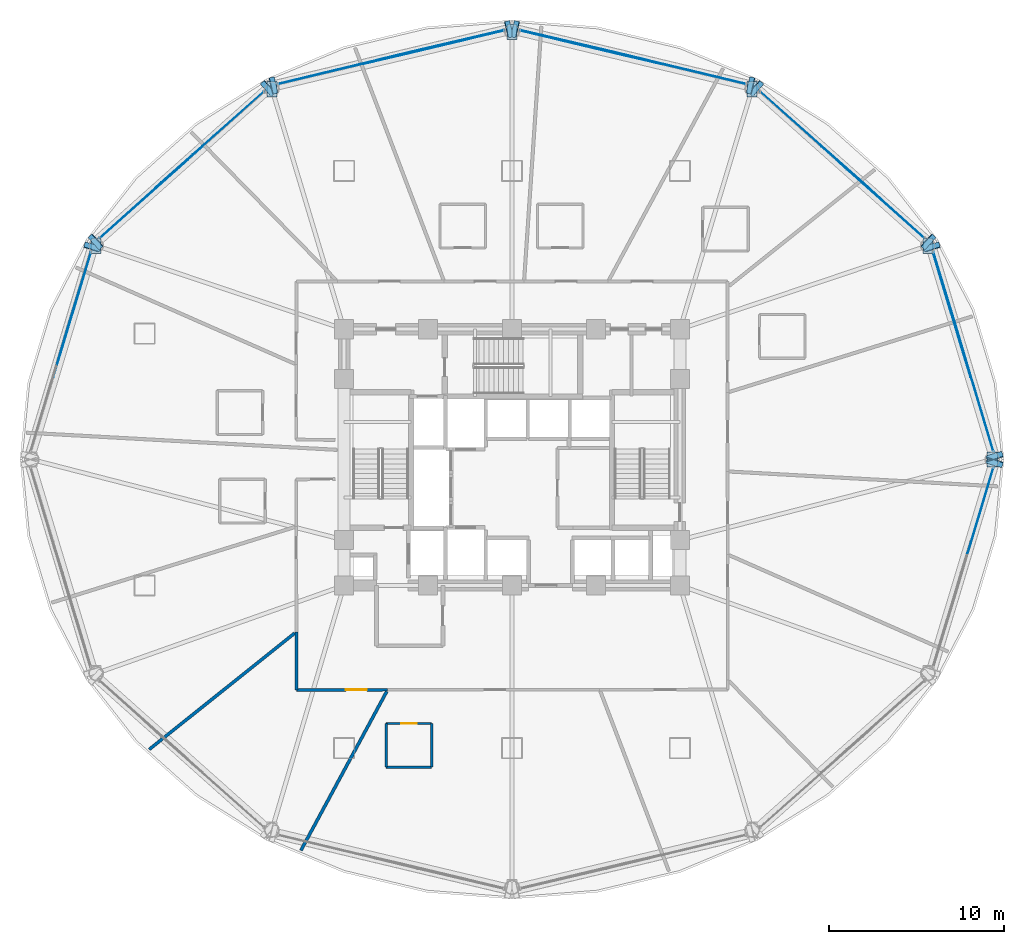
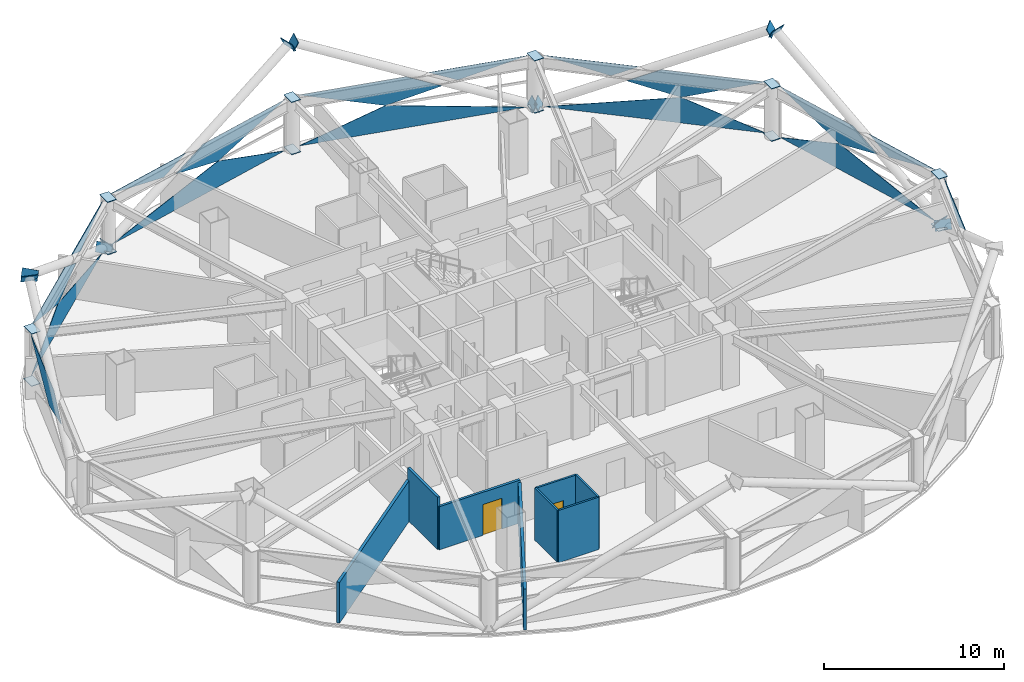
# One storey, part 21 of 30: 41 plates, 8 walls, 2 doors, 2 openings, 7 elements without a shape of their own.
"""IFC4 building model written with IfcOpenShell, lengths in metres."""

from ifc_helpers import new_model, si_unit, direction, frame, frame_2d, origin, place, context, subcontext, project, spatial, polyline, rectangle, outline, extrude, material, layer, layer_set, type_object, element, fill, aggregate, save


model = new_model("IFC4")

# Units and contexts
model_context = context("Model", 3, precision=1e-05, world=origin(), true_north=direction((0.0, 1.0)))
body_context = subcontext(model_context, "Body", "Model", "MODEL_VIEW")
ifc_project = project(units=[si_unit("LENGTHUNIT", "METRE"), si_unit("AREAUNIT", "SQUARE_METRE"), si_unit("VOLUMEUNIT", "CUBIC_METRE"), si_unit("PLANEANGLEUNIT", "RADIAN"), si_unit("MASSUNIT", "GRAM", prefix="KILO")], contexts=[model_context])

# Site, building, storey
site_placement = place(None, origin())
site = spatial("IfcSite", under=ifc_project, at=site_placement, CompositionType="ELEMENT")
building_placement = place(site_placement, origin())
building = spatial("IfcBuilding", under=site, at=building_placement, Name="Vantalir Tower", CompositionType="ELEMENT")
storey_placement = place(building_placement, frame((0.0, 0.0, 57.0)))
storey = spatial("IfcBuildingStorey", under=building, at=storey_placement, Name="L13", CompositionType="ELEMENT", Elevation=57.0)

# Curtain wall, plates
ifc_material_1 = material(Name="Champagne-silver PVDF aluminium and double-silver Low-E glass", Category="aluminium")
ifc_layer_1 = layer(ifc_material_1, 0.18994140625)
ifc_layer_set_1 = layer_set([ifc_layer_1], Name="Champagne-silver PVDF aluminium and double-silver Low-E glass")
curtain_wall_type = type_object("IfcCurtainWallType", Name="CW-DIAMOND-Z1", PredefinedType="USERDEFINED", material=ifc_layer_set_1)
curtain_wall_1_placement = place(storey_placement, origin())
curtain_wall_1 = element("IfcCurtainWall", 1, at=curtain_wall_1_placement, inside=storey, type_object=curtain_wall_type, Name="L13 Quilted Pyramid-Diamond Curtain Wall S01", ObjectType="UNITISED CURTAIN WALL", PredefinedType="USERDEFINED")
ifc_material_2 = material(Name="Double-silver Low-E laminated glass IGU", Category="glass")
ifc_layer_2 = layer(ifc_material_2, 0.028076171875)
ifc_layer_set_2 = layer_set([ifc_layer_2], Name="Double-silver Low-E laminated glass IGU")
plate_type_1 = type_object("IfcPlateType", Name="CWP-IGU-28", PredefinedType="CURTAIN_PANEL", material=ifc_layer_set_2)
plate_1_placement = place(storey_placement, frame((59.00146484375, 25.46435546875, 0.04638671875), z_axis=(-0.957585822018, -0.287815799842, 0.013836864916), x_axis=(-0.287843084169, 0.957677585869, 2.0525035e-05)))
plate_1 = element("IfcPlate", 2, at=plate_1_placement, type_object=plate_type_1, Name="CW-L13-S01 Pyramid Diamond Facet 1L", PredefinedType="CURTAIN_PANEL", context=body_context, shape_type="SweptSolid", body=[
    extrude(outline(polyline([(0.0, 0.0), (11.894772927721332, -7.047314121155779e-19), (7.368738830901903, -1.727064876820126), (0.0, 0.0)])), origin(), (0.0, 0.0, -1.0), 0.028076171875),
])
plate_2_placement = place(storey_placement, frame((57.185546875, 31.506103515625, 3.5234375), z_axis=(0.957592131935, 0.287795701037, 0.013818224237), x_axis=(-0.287823185482, 0.957683566685, 3.15483e-07)))
plate_2 = element("IfcPlate", 3, at=plate_2_placement, type_object=plate_type_1, Name="CW-L13-S01 Pyramid Diamond Facet 2U", PredefinedType="CURTAIN_PANEL", context=body_context, shape_type="SweptSolid", body=[
    extrude(outline(polyline([(0.0, 0.0), (5.586026809763344, 0.0), (1.059957221960912, -1.726971859765744), (-1.8695928713127452, -1.040380182571047), (0.0, 0.0)])), origin(), (0.0, 0.0, -1.0), 0.028076171875),
])
plate_3_placement = place(storey_placement, frame((59.031982421875, 25.4736328125, 3.524169921875), z_axis=(0.957593995748, 0.287786722453, 0.013875939127), x_axis=(-0.287813794827, 0.957686387714, -4.7913067e-05)))
plate_3 = element("IfcPlate", 4, at=plate_3_placement, type_object=plate_type_1, Name="CW-L13-S01 Pyramid Diamond Facet 2U Infill Light", PredefinedType="CURTAIN_PANEL", context=body_context, shape_type="SweptSolid", body=[
    extrude(outline(polyline([(0.0, 0.0), (5.0954914626599415, -3.1170812458958252e-18), (3.5854060935495413, -0.8402411390284942), (0.0, 0.0)])), origin(), (0.0, 0.0, -1.0), 0.028076171875),
])
aggregate(curtain_wall_1, [plate_1, plate_2, plate_3])

curtain_wall_2_placement = place(storey_placement, origin())
curtain_wall_2 = element("IfcCurtainWall", 5, at=curtain_wall_2_placement, inside=storey, type_object=curtain_wall_type, Name="L13 Quilted Pyramid-Diamond Curtain Wall S02", ObjectType="UNITISED CURTAIN WALL", PredefinedType="USERDEFINED")
plate_4_placement = place(storey_placement, frame((55.076171875, 37.642822265625, 0.04638671875), z_axis=(-0.665407378116, -0.746357322402, 0.013556122095), x_axis=(-0.746425910318, 0.665468526984, 0.0)))
plate_4 = element("IfcPlate", 6, at=plate_4_placement, type_object=plate_type_1, Name="CW-L13-S02 Pyramid Diamond Facet 1L", PredefinedType="CURTAIN_PANEL", context=body_context, shape_type="SweptSolid", body=[
    extrude(outline(polyline([(0.0, 0.0), (12.584384353535702, 0.0), (4.784136684026427, -1.727453654904941), (0.0, 0.0)])), origin(), (0.0, 0.0, -1.0), 0.028076171875),
])
plate_5_placement = place(storey_placement, frame((55.076171875, 37.642822265625, 3.5234375), z_axis=(0.665406448238, 0.746357572633, 0.013587951194), x_axis=(-0.746426856443, 0.665467464472, 4.1357635e-05)))
plate_5 = element("IfcPlate", 7, at=plate_5_placement, type_object=plate_type_1, Name="CW-L13-S02 Pyramid Diamond Facet 2U", PredefinedType="CURTAIN_PANEL", context=body_context, shape_type="SweptSolid", body=[
    extrude(outline(polyline([(0.0, 0.0), (5.918781015593105, 1.3173056395698879e-17), (7.8879689359968985, -1.0402171838416798), (4.784065219878593, -1.7274074692612384), (0.0, 0.0)])), origin(), (0.0, 0.0, -1.0), 0.028076171875),
])
plate_6_placement = place(storey_placement, frame((49.73681640625, 42.446044921875, 3.524169921875), z_axis=(0.66542010169, 0.746349573518, 0.013356735238), x_axis=(-0.746416157696, 0.665479465897, 0.0)))
plate_6 = element("IfcPlate", 8, at=plate_6_placement, type_object=plate_type_1, Name="CW-L13-S02 Pyramid Diamond Facet 2U Infill Light", PredefinedType="CURTAIN_PANEL", context=body_context, shape_type="SweptSolid", body=[
    extrude(outline(polyline([(0.0, 0.0), (5.4024429422513816, 0.0), (1.5960691910706943, -0.8430927863577146), (0.0, 0.0)])), origin(), (0.0, 0.0, -1.0), 0.028076171875),
])
aggregate(curtain_wall_2, [plate_4, plate_5, plate_6])

curtain_wall_3_placement = place(storey_placement, origin())
curtain_wall_3 = element("IfcCurtainWall", 9, at=curtain_wall_3_placement, inside=storey, type_object=curtain_wall_type, Name="L13 Quilted Pyramid-Diamond Curtain Wall S03", ObjectType="UNITISED CURTAIN WALL", PredefinedType="USERDEFINED")
plate_7_placement = place(storey_placement, frame((44.849365234375, 46.45263671875, 0.046142578125), z_axis=(-0.232281850494, -0.97254997722, 0.013844989705), x_axis=(-0.972643142153, 0.232304364321, 1.8439781e-05)))
plate_7 = element("IfcPlate", 10, at=plate_7_placement, type_object=plate_type_1, Name="CW-L13-S03 Pyramid Diamond Facet 1L", PredefinedType="CURTAIN_PANEL", context=body_context, shape_type="SweptSolid", body=[
    extrude(outline(polyline([(0.0, 0.0), (13.239887260572155, 2.8731357570865868e-18), (8.202391792840888, -1.7277975563932781), (0.0, 0.0)])), origin(), (0.0, 0.0, -1.0), 0.028076171875),
])
plate_8_placement = place(storey_placement, frame((38.0361328125, 48.079833984375, 3.523681640625), z_axis=(0.232277108116, 0.972550543601, 0.013884710573), x_axis=(-0.972644303162, 0.23229950393, -2.06057e-07)))
plate_8 = element("IfcPlate", 11, at=plate_8_placement, type_object=plate_type_1, Name="CW-L13-S03 Pyramid Diamond Facet 2U", PredefinedType="CURTAIN_PANEL", context=body_context, shape_type="SweptSolid", body=[
    extrude(outline(polyline([(0.0, 0.0), (6.235038439298125, 3.469446951953614e-18), (1.1975113517648346, -1.7277053617726261), (-2.0650771431503885, -1.0403852036864139), (0.0, 0.0)])), origin(), (0.0, 0.0, -1.0), 0.028076171875),
])
plate_9_placement = place(storey_placement, frame((44.856689453125, 46.48388671875, 3.524169921875), z_axis=(0.232290203485, 0.972549091149, 0.013766868583), x_axis=(-0.972641266247, 0.232312219209, 0.0)))
plate_9 = element("IfcPlate", 12, at=plate_9_placement, type_object=plate_type_1, Name="CW-L13-S03 Pyramid Diamond Facet 2U Infill Light", PredefinedType="CURTAIN_PANEL", context=body_context, shape_type="SweptSolid", body=[
    extrude(outline(polyline([(0.0, 0.0), (5.693862814261939, 0.0), (4.015142088045988, -0.8457832780423248), (0.0, 0.0)])), origin(), (0.0, 0.0, -1.0), 0.028076171875),
])
aggregate(curtain_wall_3, [plate_7, plate_8, plate_9])

curtain_wall_4_placement = place(storey_placement, origin())
curtain_wall_4 = element("IfcCurtainWall", 13, at=curtain_wall_4_placement, inside=storey, type_object=curtain_wall_type, Name="L13 Quilted Pyramid-Diamond Curtain Wall S04", ObjectType="UNITISED CURTAIN WALL", PredefinedType="USERDEFINED")
plate_10_placement = place(storey_placement, frame((31.0283203125, 49.5283203125, 0.04638671875), z_axis=(0.232298566588, -0.972546207877, 0.013829298776), x_axis=(-0.97263916129, -0.232321031301, -1.8441104e-05)))
plate_10 = element("IfcPlate", 14, at=plate_10_placement, type_object=plate_type_1, Name="CW-L13-S04 Pyramid Diamond Facet 1L", PredefinedType="CURTAIN_PANEL", context=body_context, shape_type="SweptSolid", body=[
    extrude(outline(polyline([(0.0, 0.0), (13.238937415697356, 1.4365678785432934e-18), (5.037020133329369, -1.7277971790848272), (0.0, 0.0)])), origin(), (0.0, 0.0, -1.0), 0.028076171875),
])
plate_11_placement = place(storey_placement, frame((31.0283203125, 49.5283203125, 3.523681640625), z_axis=(-0.232295494066, 0.972546338767, 0.013871639705), x_axis=(-0.972639921483, -0.232317849372, 1.9661e-07)))
plate_11 = element("IfcPlate", 15, at=plate_11_placement, type_object=plate_type_1, Name="CW-L13-S04 Pyramid Diamond Facet 2U", PredefinedType="CURTAIN_PANEL", context=body_context, shape_type="SweptSolid", body=[
    extrude(outline(polyline([(0.0, 0.0), (6.234563518097518, 0.0), (8.299402935582712, -1.0403849363645372), (5.03705173040447, -1.7277050596209191), (0.0, 0.0)])), origin(), (0.0, 0.0, -1.0), 0.028076171875),
])
plate_12_placement = place(storey_placement, frame((23.681884765625, 47.806640625, 3.524169921875), z_axis=(-0.232309668197, 0.972544830943, 0.013739354732), x_axis=(-0.972636637521, -0.232331597835, 0.0)))
plate_12 = element("IfcPlate", 16, at=plate_12_placement, type_object=plate_type_1, Name="CW-L13-S04 Pyramid Diamond Facet 2U Infill Light", PredefinedType="CURTAIN_PANEL", context=body_context, shape_type="SweptSolid", body=[
    extrude(outline(polyline([(0.0, 0.0), (5.693387892898667, 0.0), (1.678483033778143, -0.8457829579365476), (0.0, 0.0)])), origin(), (0.0, 0.0, -1.0), 0.028076171875),
])
aggregate(curtain_wall_4, [plate_10, plate_11, plate_12])

curtain_wall_5_placement = place(storey_placement, origin())
curtain_wall_5 = element("IfcCurtainWall", 17, at=curtain_wall_5_placement, inside=storey, type_object=curtain_wall_type, Name="L13 Quilted Pyramid-Diamond Curtain Wall S05", ObjectType="UNITISED CURTAIN WALL", PredefinedType="USERDEFINED")
plate_13_placement = place(storey_placement, frame((17.318115234375, 46.017333984375, 0.04638671875), z_axis=(0.665378352593, -0.746382958751, 0.013569332576), x_axis=(-0.746451682789, -0.665439618043, 0.0)))
plate_13 = element("IfcPlate", 18, at=plate_13_placement, type_object=plate_type_1, Name="CW-L13-S05 Pyramid Diamond Facet 1L", PredefinedType="CURTAIN_PANEL", context=body_context, shape_type="SweptSolid", body=[
    extrude(outline(polyline([(0.0, 0.0), (12.584931061638851, 1.3877787807814457e-17), (7.800613048962761, -1.7274539644700475), (0.0, 0.0)])), origin(), (0.0, 0.0, -1.0), 0.028076171875),
])
plate_14_placement = place(storey_placement, frame((12.34228515625, 41.58154296875, 3.523681640625), z_axis=(-0.665378378836, 0.746383049442, 0.013563055839), x_axis=(-0.746452081291, -0.66543916975, -4.1214311e-05)))
plate_14 = element("IfcPlate", 19, at=plate_14_placement, type_object=plate_type_1, Name="CW-L13-S05 Pyramid Diamond Facet 2U", PredefinedType="CURTAIN_PANEL", context=body_context, shape_type="SweptSolid", body=[
    extrude(outline(polyline([(0.0, 0.0), (5.918963252420912, -7.318364664277155e-18), (1.1347164370773244, -1.7274070479565828), (-1.9693697697548103, -1.040215716584684), (0.0, 0.0)])), origin(), (0.0, 0.0, -1.0), 0.028076171875),
])
plate_15_placement = place(storey_placement, frame((17.296630859375, 46.041259765625, 3.524169921875), z_axis=(-0.66539973325, 0.74636641499, 0.013430173728), x_axis=(-0.74643373499, -0.6654597503, 0.0)))
plate_15 = element("IfcPlate", 20, at=plate_15_placement, type_object=plate_type_1, Name="CW-L13-S05 Pyramid Diamond Facet 2U Infill Light", PredefinedType="CURTAIN_PANEL", context=body_context, shape_type="SweptSolid", body=[
    extrude(outline(polyline([(0.0, 0.0), (5.402969875723345, 0.0), (3.806556282091563, -0.843093615768816), (0.0, 0.0)])), origin(), (0.0, 0.0, -1.0), 0.028076171875),
])
aggregate(curtain_wall_5, [plate_13, plate_14, plate_15])

# Curtain wall, plate
curtain_wall_6_placement = place(storey_placement, origin())
curtain_wall_6 = element("IfcCurtainWall", 21, at=curtain_wall_6_placement, inside=storey, type_object=curtain_wall_type, Name="L13 Quilted Pyramid-Diamond Curtain Wall S06", ObjectType="UNITISED CURTAIN WALL", PredefinedType="USERDEFINED")
plate_16_placement = place(storey_placement, frame((7.42236328125, 36.855712890625, 3.5234375), z_axis=(-0.957592131935, 0.287795701037, 0.013818224237), x_axis=(-0.287823185482, -0.957683566685, -3.15483e-07)))
plate_16 = element("IfcPlate", 22, at=plate_16_placement, type_object=plate_type_1, Name="CW-L13-S06 Pyramid Diamond Facet 2U", PredefinedType="CURTAIN_PANEL", context=body_context, shape_type="SweptSolid", body=[
    extrude(outline(polyline([(0.0, 0.0), (5.586026809763344, 0.0), (7.455619681076089, -1.040380182571047), (4.526069587802432, -1.726971859765744), (0.0, 0.0)])), origin(), (0.0, 0.0, -1.0), 0.028076171875),
])
aggregate(curtain_wall_6, [plate_16])

curtain_wall_7_placement = place(storey_placement, origin())
curtain_wall_7 = element("IfcCurtainWall", 23, at=curtain_wall_7_placement, inside=storey, type_object=curtain_wall_type, Name="L13 Quilted Pyramid-Diamond Curtain Wall S12", ObjectType="UNITISED CURTAIN WALL", PredefinedType="USERDEFINED")
plate_17_placement = place(storey_placement, frame((57.5654296875, 19.64599609375, 3.52392578125), z_axis=(0.95760238429, -0.28776044844, 0.013841889853), x_axis=(0.287787384071, 0.95769432455, 4.7908671e-05)))
plate_17 = element("IfcPlate", 24, at=plate_17_placement, type_object=plate_type_1, Name="CW-L13-S12 Pyramid Diamond Facet 2U Infill Light", PredefinedType="CURTAIN_PANEL", context=body_context, shape_type="SweptSolid", body=[
    extrude(outline(polyline([(0.0, 0.0), (5.095959084904235, -3.0357660829594124e-18), (1.5103188627906086, -0.8402407470016955), (0.0, 0.0)])), origin(), (0.0, 0.0, -1.0), 0.028076171875),
])
aggregate(curtain_wall_7, [plate_17])

# Plates
ifc_material_3 = material(Name="Steel S460", Category="steel")
ifc_layer_3 = layer(ifc_material_3, 0.0400390625)
ifc_layer_set_3 = layer_set([ifc_layer_3], Name="Steel S460")
plate_type_2 = type_object("IfcPlateType", Name="PLT-KN-Z1", PredefinedType="USERDEFINED", material=ifc_layer_set_3)
for number, where, z_axis, x_axis, name in (
    (25, (59.4951171875, 25.471923828125, -0.080078125), (-0.251490162949, 0.836766153777, 0.486389866087), (-0.957678644205, -0.287839563275, 1.5719864e-05), "Node Cap Plate MEM-DG-L13-R01L Start"),
    (26, (55.896728515625, 37.44384765625, 6.877685546875), (-0.251490162949, 0.836766153777, 0.486389866087), (-0.957678644205, -0.287839563275, 1.5719864e-05), "Node Cap Plate MEM-DG-L13-R01L End"),
):
    element("IfcPlate", number, at=place(storey_placement, frame(where, z_axis=z_axis, x_axis=x_axis)), inside=storey, type_object=plate_type_2, Name=name, ObjectType="FLANGE_PLATE", PredefinedType="USERDEFINED", context=body_context, shape_type="SweptSolid", body=[
        extrude(outline(polyline([(0.0, 0.0), (0.9498757175723269, 0.0), (0.9500156509318689, 0.6200150367845599), (-9.38749032032523e-05, 0.6200492202319443), (0.0, 0.0)])), origin(), (0.0, 0.0, -1.0), 0.0400390625),
    ])
plate_18_placement = place(storey_placement, frame((58.58544921875, 24.801513671875, -0.080078125), z_axis=(-0.251490162949, -0.836766153777, 0.486389866087), x_axis=(0.957678644205, -0.287839563275, -1.5719864e-05)))
element("IfcPlate", 27, at=plate_18_placement, inside=storey, type_object=plate_type_2, Name="Node Cap Plate MEM-DG-L13-R01R Start", ObjectType="FLANGE_PLATE", PredefinedType="USERDEFINED", context=body_context, shape_type="SweptSolid", body=[
    extrude(outline(polyline([(0.0, 0.0), (0.9498757175723269, 0.0), (0.94996959247553, 0.6200492202319443), (-0.00013993335954211683, 0.6200150367845599), (0.0, 0.0)])), origin(), (0.0, 0.0, -1.0), 0.0400390625),
])
plate_19_placement = place(storey_placement, frame((45.09765625, 46.881591796875, -0.09423828125), z_axis=(-0.868679647648, 0.207500700614, 0.449821218937), x_axis=(-0.232338621109, -0.972634959786, -1.1995705e-05)))
element("IfcPlate", 28, at=plate_19_placement, inside=storey, type_object=plate_type_2, Name="Node Cap Plate MEM-DG-L13-R07L Start", ObjectType="FLANGE_PLATE", PredefinedType="USERDEFINED", context=body_context, shape_type="SweptSolid", body=[
    extrude(outline(polyline([(0.0, 0.0), (0.9498253909451931, 0.0), (0.9499634488044043, 0.6199874463205657), (-9.940184776774489e-05, 0.6199619284342917), (0.0, 0.0)])), origin(), (0.0, 0.0, -1.0), 0.0400390625),
])
plate_20_placement = place(storey_placement, frame((31.637939453125, 50.096435546875, 6.878662109375), z_axis=(-0.868452327118, 0.20744640077, 0.450284961253), x_axis=(-0.232326857774, -0.972637769683, 1.2001929e-05)))
element("IfcPlate", 29, at=plate_20_placement, inside=storey, type_object=plate_type_2, Name="Node Cap Plate MEM-DG-L13-R07L End", ObjectType="FLANGE_PLATE", PredefinedType="USERDEFINED", context=body_context, shape_type="SweptSolid", body=[
    extrude(outline(polyline([(0.0, 0.0), (0.9500628509950432, 0.0), (0.9499233860281305, 0.6198507701050563), (9.799542607623246e-05, 0.619876307914394), (0.0, 0.0)])), origin(), (0.0, 0.0, -1.0), 0.0400390625),
])
plate_21_placement = place(storey_placement, frame((45.263427734375, 45.7548828125, -0.087646484375), z_axis=(0.660008864584, -0.588429318244, 0.467053782878), x_axis=(0.665473396555, 0.746421568859, -4.294976e-06)))
element("IfcPlate", 30, at=plate_21_placement, inside=storey, type_object=plate_type_2, Name="Node Cap Plate MEM-DG-L13-R07R Start", ObjectType="FLANGE_PLATE", PredefinedType="USERDEFINED", context=body_context, shape_type="SweptSolid", body=[
    extrude(outline(polyline([(0.0, 0.0), (0.9501784068884593, 2.7755575615628914e-17), (0.9500093497512343, 0.62013797366992), (0.0001756437820656369, 0.6201287447177519), (0.0, 0.0)])), origin(), (0.0, 0.0, -1.0), 0.0400390625),
])
plate_22_placement = place(storey_placement, frame((55.10595703125, 36.979736328125, 6.878173828125), z_axis=(0.659944728769, -0.588372138113, 0.467216418871), x_axis=(0.665470008051, 0.746424589872, 4.297613e-06)))
element("IfcPlate", 31, at=plate_22_placement, inside=storey, type_object=plate_type_2, Name="Node Cap Plate MEM-DG-L13-R07R End", ObjectType="FLANGE_PLATE", PredefinedType="USERDEFINED", context=body_context, shape_type="SweptSolid", body=[
    extrude(outline(polyline([(0.0, 0.0), (0.9498337060140125, 2.7755575615628914e-17), (0.9500153752071201, 0.6199128756628514), (-0.00016303163646354339, 0.6199221111791092), (0.0, 0.0)])), origin(), (0.0, 0.0, -1.0), 0.0400390625),
])
plate_23_placement = place(storey_placement, frame((17.10546875, 46.464111328125, -0.087646484375), z_axis=(-0.660110602047, -0.588406386194, 0.466938880103), x_axis=(0.665386187583, -0.746499310199, -3.5303403e-05)))
element("IfcPlate", 32, at=plate_23_placement, inside=storey, type_object=plate_type_2, Name="Node Cap Plate MEM-DG-L13-R13L Start", ObjectType="FLANGE_PLATE", PredefinedType="USERDEFINED", context=body_context, shape_type="SweptSolid", body=[
    extrude(outline(polyline([(0.0, 0.0), (0.9500159511182094, 2.7755575615628914e-17), (0.9497847571507525, 0.6201287223976483), (-4.8943159302784365e-05, 0.6200528748934697), (0.0, 0.0)])), origin(), (0.0, 0.0, -1.0), 0.0400390625),
])
plate_24_placement = place(storey_placement, frame((7.261962890625, 37.688720703125, 6.878173828125), z_axis=(-0.659944728769, -0.588372138113, 0.467216418871), x_axis=(0.665470008051, -0.746424589872, -4.297613e-06)))
element("IfcPlate", 33, at=plate_24_placement, inside=storey, type_object=plate_type_2, Name="Node Cap Plate MEM-DG-L13-R13L End", ObjectType="FLANGE_PLATE", PredefinedType="USERDEFINED", context=body_context, shape_type="SweptSolid", body=[
    extrude(outline(polyline([(0.0, 0.0), (0.9498337060140125, -2.7755575615628914e-17), (0.949996737650476, 0.6199221111791091), (-0.00018166919310762172, 0.6199128756628514), (0.0, 0.0)])), origin(), (0.0, 0.0, -1.0), 0.0400390625),
])
plate_25_placement = place(storey_placement, frame((18.1240234375, 45.957763671875, -0.09423828125), z_axis=(0.868667968842, 0.207470500352, 0.449857701269), x_axis=(-0.232303709897, 0.972643298629, 0.0)))
element("IfcPlate", 34, at=plate_25_placement, inside=storey, type_object=plate_type_2, Name="Node Cap Plate MEM-DG-L13-R13R Start", ObjectType="FLANGE_PLATE", PredefinedType="USERDEFINED", context=body_context, shape_type="SweptSolid", body=[
    extrude(outline(polyline([(0.0, 0.0), (0.9500628513325243, 0.0), (0.9499081404585964, 0.6199874429060697), (-0.0001547108739279254, 0.6199874429060697), (0.0, 0.0)])), origin(), (0.0, 0.0, -1.0), 0.0400390625),
])
plate_26_placement = place(storey_placement, frame((31.582763671875, 49.17236328125, 6.878662109375), z_axis=(0.868452327118, 0.20744640077, 0.450284961253), x_axis=(-0.232326857774, 0.972637769683, -1.2001929e-05)))
element("IfcPlate", 35, at=plate_26_placement, inside=storey, type_object=plate_type_2, Name="Node Cap Plate MEM-DG-L13-R13R End", ObjectType="FLANGE_PLATE", PredefinedType="USERDEFINED", context=body_context, shape_type="SweptSolid", body=[
    extrude(outline(polyline([(0.0, 0.0), (0.9500628509950432, 0.0), (0.9499648555689669, 0.6198763079143939), (0.00013946496691266775, 0.6198507701050563), (0.0, 0.0)])), origin(), (0.0, 0.0, -1.0), 0.0400390625),
])
plate_27_placement = place(storey_placement, frame((8.012939453125, 37.17041015625, 6.877685546875), z_axis=(0.251490162949, 0.836766153777, 0.486389866087), x_axis=(-0.957678644205, 0.287839563275, -1.5719864e-05)))
element("IfcPlate", 36, at=plate_27_placement, inside=storey, type_object=plate_type_2, Name="Node Cap Plate MEM-DG-L13-R19R End", ObjectType="FLANGE_PLATE", PredefinedType="USERDEFINED", context=body_context, shape_type="SweptSolid", body=[
    extrude(outline(polyline([(0.0, 0.0), (0.9498757175723269, 0.0), (0.94996959247553, 0.6200492202319443), (-0.00013993335954211683, 0.6200150367845599), (0.0, 0.0)])), origin(), (0.0, 0.0, -1.0), 0.0400390625),
])
ifc_layer_4 = layer(ifc_material_3, 0.035888671875)
ifc_layer_set_4 = layer_set([ifc_layer_4], Name="Steel S460")
plate_type_3 = type_object("IfcPlateType", Name="PLT-KN-Z2", PredefinedType="USERDEFINED", material=ifc_layer_set_4)
for number, where, z_axis, x_axis, name in (
    (37, (58.660888671875, 25.43994140625, 3.597900390625), (0.0, 0.0, 1.0), (0.0, -1.0, 0.0), "L13 Ring Column Top Cap RC01"),
    (38, (58.660888671875, 25.43994140625, 0.052978515625), (0.0, 0.0, 1.0), (0.0, -1.0, 0.0), "L13 Ring Column Base Cap RC01"),
):
    element("IfcPlate", number, at=place(storey_placement, frame(where, z_axis=z_axis, x_axis=x_axis)), inside=storey, type_object=plate_type_3, Name=name, ObjectType="FLANGE_PLATE", PredefinedType="USERDEFINED", context=body_context, shape_type="SweptSolid", body=[
        extrude(outline(polyline([(0.0, 0.0), (0.8798828125, 0.0), (0.8798828125, 0.580078125), (0.0, 0.580078125), (0.0, 0.0)])), origin(), (0.0, 0.0, -1.0), 0.035888671875),
    ])
for number, where, z_axis, x_axis, name in (
    (39, (54.98291015625, 37.6650390625, 3.597900390625), (0.0, 0.0, 1.0), (0.0, -1.0, 0.0), "L13 Ring Column Top Cap RC02"),
    (40, (54.98291015625, 37.6650390625, 0.052978515625), (0.0, 0.0, 1.0), (0.0, -1.0, 0.0), "L13 Ring Column Base Cap RC02"),
):
    element("IfcPlate", number, at=place(storey_placement, frame(where, z_axis=z_axis, x_axis=x_axis)), inside=storey, type_object=plate_type_3, Name=name, ObjectType="FLANGE_PLATE", PredefinedType="USERDEFINED", context=body_context, shape_type="SweptSolid", body=[
        extrude(outline(polyline([(0.0, 0.0), (0.880126953125, 0.0), (0.880126953125, 0.580078125), (0.0, 0.580078125), (0.0, 0.0)])), origin(), (0.0, 0.0, -1.0), 0.035888671875),
    ])
for number, where, z_axis, x_axis, name in (
    (41, (44.93603515625, 46.614990234375, 3.597900390625), (0.0, 0.0, 1.0), (0.0, -1.0, 0.0), "L13 Ring Column Top Cap RC03"),
    (42, (44.93603515625, 46.614990234375, 0.052978515625), (0.0, 0.0, 1.0), (0.0, -1.0, 0.0), "L13 Ring Column Base Cap RC03"),
):
    element("IfcPlate", number, at=place(storey_placement, frame(where, z_axis=z_axis, x_axis=x_axis)), inside=storey, type_object=plate_type_3, Name=name, ObjectType="FLANGE_PLATE", PredefinedType="USERDEFINED", context=body_context, shape_type="SweptSolid", body=[
        extrude(outline(polyline([(0.0, 0.0), (0.8798828125, 0.0), (0.8798828125, 0.580078125), (0.0, 0.580078125), (0.0, 0.0)])), origin(), (0.0, 0.0, -1.0), 0.035888671875),
    ])
for number, where, z_axis, x_axis, name in (
    (43, (31.2099609375, 49.89111328125, 3.597900390625), (0.0, 0.0, 1.0), (0.0, -1.0, 0.0), "L13 Ring Column Top Cap RC04"),
    (44, (31.2099609375, 49.89111328125, 0.052978515625), (0.0, 0.0, 1.0), (0.0, -1.0, 0.0), "L13 Ring Column Base Cap RC04"),
):
    element("IfcPlate", number, at=place(storey_placement, frame(where, z_axis=z_axis, x_axis=x_axis)), inside=storey, type_object=plate_type_3, Name=name, ObjectType="FLANGE_PLATE", PredefinedType="USERDEFINED", context=body_context, shape_type="SweptSolid", body=[
        extrude(outline(polyline([(0.0, 0.0), (0.880126953125, 0.0), (0.880126953125, 0.580078125), (0.0, 0.580078125), (0.0, 0.0)])), origin(), (0.0, 0.0, -1.0), 0.035888671875),
    ])
for number, where, z_axis, x_axis, name in (
    (45, (17.485107421875, 46.614990234375, 3.597900390625), (0.0, 0.0, 1.0), (0.0, -1.0, 0.0), "L13 Ring Column Top Cap RC05"),
    (46, (17.485107421875, 46.614990234375, 0.052978515625), (0.0, 0.0, 1.0), (0.0, -1.0, 0.0), "L13 Ring Column Base Cap RC05"),
):
    element("IfcPlate", number, at=place(storey_placement, frame(where, z_axis=z_axis, x_axis=x_axis)), inside=storey, type_object=plate_type_3, Name=name, ObjectType="FLANGE_PLATE", PredefinedType="USERDEFINED", context=body_context, shape_type="SweptSolid", body=[
        extrude(outline(polyline([(0.0, 0.0), (0.8798828125, 0.0), (0.8798828125, 0.579833984375), (0.0, 0.579833984375), (0.0, 0.0)])), origin(), (0.0, 0.0, -1.0), 0.035888671875),
    ])
for number, where, z_axis, x_axis, name in (
    (47, (7.43701171875, 37.6650390625, 3.597900390625), (0.0, 0.0, 1.0), (0.0, -1.0, 0.0), "L13 Ring Column Top Cap RC06"),
    (48, (7.43701171875, 37.6650390625, 0.052978515625), (0.0, 0.0, 1.0), (0.0, -1.0, 0.0), "L13 Ring Column Base Cap RC06"),
):
    element("IfcPlate", number, at=place(storey_placement, frame(where, z_axis=z_axis, x_axis=x_axis)), inside=storey, type_object=plate_type_3, Name=name, ObjectType="FLANGE_PLATE", PredefinedType="USERDEFINED", context=body_context, shape_type="SweptSolid", body=[
        extrude(outline(polyline([(0.0, 0.0), (0.880126953125, 0.0), (0.880126953125, 0.580078125), (0.0, 0.580078125), (0.0, 0.0)])), origin(), (0.0, 0.0, -1.0), 0.035888671875),
    ])

# Wall
ifc_material_4 = material(Name="Moisture-resistant en-suite partition", Category="gypsum")
ifc_layer_5 = layer(ifc_material_4, 0.125)
ifc_layer_set_5 = layer_set([ifc_layer_5], Name="Moisture-resistant en-suite partition")
wall_type_1 = type_object("IfcWallType", Name="WL-BATH-125", PredefinedType="PARTITIONING", material=ifc_layer_set_5)
wall_1_placement = place(storey_placement, frame((24.31005859375, 7.410888671875, 0.0), z_axis=(0.0, 0.0, 1.0), x_axis=(1.0, 0.0, 0.0)))
element("IfcWall", 49, at=wall_1_placement, inside=storey, type_object=wall_type_1, Name="L13 En-suite 11 South Wall", PredefinedType="PARTITIONING", context=body_context, shape_type="SweptSolid", body=[
    extrude(rectangle(XDim=2.599853515625, YDim=0.125, at=frame_2d((1.2998046875, 0.0))), origin(), (0.0, 0.0, 1.0), 3.550048828125),
])

# Wall, opening, door
wall_2_placement = place(storey_placement, frame((24.31005859375, 9.910888671875, 0.0), z_axis=(0.0, 0.0, 1.0), x_axis=(1.0, 0.0, 0.0)))
wall_2 = element("IfcWall", 50, at=wall_2_placement, inside=storey, type_object=wall_type_1, Name="L13 En-suite 11 North Wall", PredefinedType="PARTITIONING", context=body_context, shape_type="SweptSolid", body=[
    extrude(rectangle(XDim=2.599853515625, YDim=0.125, at=frame_2d((1.2998046875, 0.0))), origin(), (0.0, 0.0, 1.0), 3.550048828125),
])
opening_1_placement = place(wall_2_placement, frame((0.85009765625, 0.0, 0.0)))
opening_1 = element("IfcOpeningElement", 51, at=opening_1_placement, cuts=wall_2, Name="Opening D-WC", PredefinedType="OPENING", context=body_context, shape_type="SweptSolid", body=[
    extrude(rectangle(XDim=0.89990234375, YDim=2.10009765625, at=frame_2d((0.449951171875, 1.050048828125))), frame((0.0, 0.072509765625, 0.0), z_axis=(0.0, -1.0, 0.0), x_axis=(1.0, 0.0, 0.0)), (0.0, 0.0, 1.0), 0.14501953125),
])
ifc_material_5 = material(Name="Moisture-resistant hardwood door", Category="wood")
door_type_1 = type_object("IfcDoorType", Name="DR-ENSUITE-900", OperationType="NOTDEFINED", PredefinedType="DOOR", material=ifc_material_5)
door_1_placement = place(opening_1_placement, frame((0.89990234375, 0.0, 0.0), z_axis=(0.0, 0.0, 1.0), x_axis=(-1.0, 0.0, 0.0)))
door_1 = element("IfcDoor", 52, at=door_1_placement, inside=storey, type_object=door_type_1, Name="L13 En-suite 11 Door", OperationType="SINGLE_SWING_LEFT", OverallHeight=2.10009765625, OverallWidth=0.89990234375, PredefinedType="DOOR", context=body_context, shape_type="SweptSolid", body=[
    extrude(rectangle(XDim=0.89990234375, YDim=2.10009765625, at=frame_2d((0.449951171875, 1.050048828125))), frame((0.0, 0.02490234375, 0.0), z_axis=(0.0, -1.0, 0.0), x_axis=(1.0, 0.0, 0.0)), (0.0, 0.0, 1.0), 0.050048828125),
])
fill(opening_1, door_1)

# Walls
for number, where, z_axis, x_axis, name in (
    (53, (24.31005859375, 7.410888671875, 0.0), (0.0, 0.0, 1.0), (0.0, 1.0, 0.0), "L13 En-suite 11 West Wall"),
    (54, (26.909912109375, 7.410888671875, 0.0), (0.0, 0.0, 1.0), (0.0, 1.0, 0.0), "L13 En-suite 11 East Wall"),
):
    element("IfcWall", number, at=place(storey_placement, frame(where, z_axis=z_axis, x_axis=x_axis)), inside=storey, type_object=wall_type_1, Name=name, PredefinedType="PARTITIONING", context=body_context, shape_type="SweptSolid", body=[
        extrude(rectangle(XDim=2.5, YDim=0.125, at=frame_2d((1.25, 0.0))), origin(), (0.0, 0.0, 1.0), 3.550048828125),
    ])

# Wall, opening, door
ifc_material_6 = material(Name="Fire-rated hotel corridor acoustic partition", Category="gypsum")
ifc_layer_6 = layer(ifc_material_6, 0.159912109375)
ifc_layer_set_6 = layer_set([ifc_layer_6], Name="Fire-rated hotel corridor acoustic partition")
wall_type_2 = type_object("IfcWallType", Name="WL-CORR-160", PredefinedType="PARTITIONING", material=ifc_layer_set_6)
wall_3_placement = place(storey_placement, frame((24.389892578125, 11.8330078125, 0.0), z_axis=(0.0, 0.0, 1.0), x_axis=(-0.999999841836, -0.000562429607, 0.0)))
wall_3 = element("IfcWall", 55, at=wall_3_placement, inside=storey, type_object=wall_type_2, Name="L13 Corridor Partition 16", PredefinedType="PARTITIONING", context=body_context, shape_type="SweptSolid", body=[
    extrude(rectangle(XDim=5.208984375, YDim=0.159912109375, at=frame_2d((2.6044921875, 0.0))), origin(), (0.0, 0.0, 1.0), 2.927978515625),
])
opening_2_placement = place(wall_3_placement, frame((1.193115234375, 0.0, 0.0)))
opening_2 = element("IfcOpeningElement", 56, at=opening_2_placement, cuts=wall_3, Name="Opening D-STE", PredefinedType="OPENING", context=body_context, shape_type="SweptSolid", body=[
    extrude(rectangle(XDim=1.199951171875, YDim=2.10009765625, at=frame_2d((0.60009765625, 1.050048828125))), frame((0.0, 0.08984375, 0.0), z_axis=(0.0, -1.0, 0.0), x_axis=(1.0, 0.0, 0.0)), (0.0, 0.0, 1.0), 0.179931640625),
])
ifc_material_7 = material(Name="Solid-core teak veneer suite entrance door", Category="wood")
door_type_2 = type_object("IfcDoorType", Name="DR-SUITE-ENTRY-1200", OperationType="NOTDEFINED", PredefinedType="DOOR", material=ifc_material_7)
door_2_placement = place(opening_2_placement, origin())
door_2 = element("IfcDoor", 57, at=door_2_placement, inside=storey, type_object=door_type_2, Name="L13 Executive Sky Boardroom 10 Door", OperationType="SINGLE_SWING_RIGHT", OverallHeight=2.10009765625, OverallWidth=1.199951171875, PredefinedType="DOOR", context=body_context, shape_type="SweptSolid", body=[
    extrude(rectangle(XDim=1.199951171875, YDim=2.10009765625, at=frame_2d((0.60009765625, 1.050048828125))), frame((0.0, 0.02490234375, 0.0), z_axis=(0.0, -1.0, 0.0), x_axis=(1.0, 0.0, 0.0)), (0.0, 0.0, 1.0), 0.050048828125),
])
fill(opening_2, door_2)

# Walls
wall_4_placement = place(storey_placement, frame((19.180908203125, 11.830078125, 0.0), z_axis=(0.0, 0.0, 1.0), x_axis=(-0.001470370415, 0.999998919005, 0.0)))
element("IfcWall", 58, at=wall_4_placement, inside=storey, type_object=wall_type_2, Name="L13 Corridor Partition 17", PredefinedType="PARTITIONING", context=body_context, shape_type="SweptSolid", body=[
    extrude(rectangle(XDim=3.32080078125, YDim=0.159912109375, at=frame_2d((1.660400390625, 0.0))), origin(), (0.0, 0.0, 1.0), 3.550048828125),
])
ifc_material_8 = material(Name="Twin-stud acoustic fire-rated gypsum partition", Category="gypsum")
ifc_layer_7 = layer(ifc_material_8, 0.179931640625)
ifc_layer_set_7 = layer_set([ifc_layer_7], Name="Twin-stud acoustic fire-rated gypsum partition")
wall_type_3 = type_object("IfcWallType", Name="WL-GUEST-180", PredefinedType="PARTITIONING", material=ifc_layer_set_7)
wall_5_placement = place(storey_placement, frame((19.0849609375, 15.0791015625, 0.0), z_axis=(0.0, 0.0, 1.0), x_axis=(-0.781201807071, -0.624278572938, 0.0)))
element("IfcWall", 59, at=wall_5_placement, inside=storey, type_object=wall_type_3, Name="L13 Radial Suite Partition 10", PredefinedType="PARTITIONING", context=body_context, shape_type="SweptSolid", body=[
    extrude(rectangle(XDim=10.654052734375, YDim=0.179931640625, at=frame_2d((5.3271484375, 0.0))), origin(), (0.0, 0.0, 1.0), 2.77490234375),
])
wall_6_placement = place(storey_placement, frame((24.344970703125, 11.75, 0.0), z_axis=(0.0, 0.0, 1.0), x_axis=(-0.475165367646, -0.879896512887, 0.0)))
element("IfcWall", 60, at=wall_6_placement, inside=storey, type_object=wall_type_3, Name="L13 Radial Suite Partition 11", PredefinedType="PARTITIONING", context=body_context, shape_type="SweptSolid", body=[
    extrude(rectangle(XDim=10.33984375, YDim=0.179931640625, at=frame_2d((5.169921875, 0.0))), origin(), (0.0, 0.0, 1.0), 2.77490234375),
])

save(model, "model.ifc")
